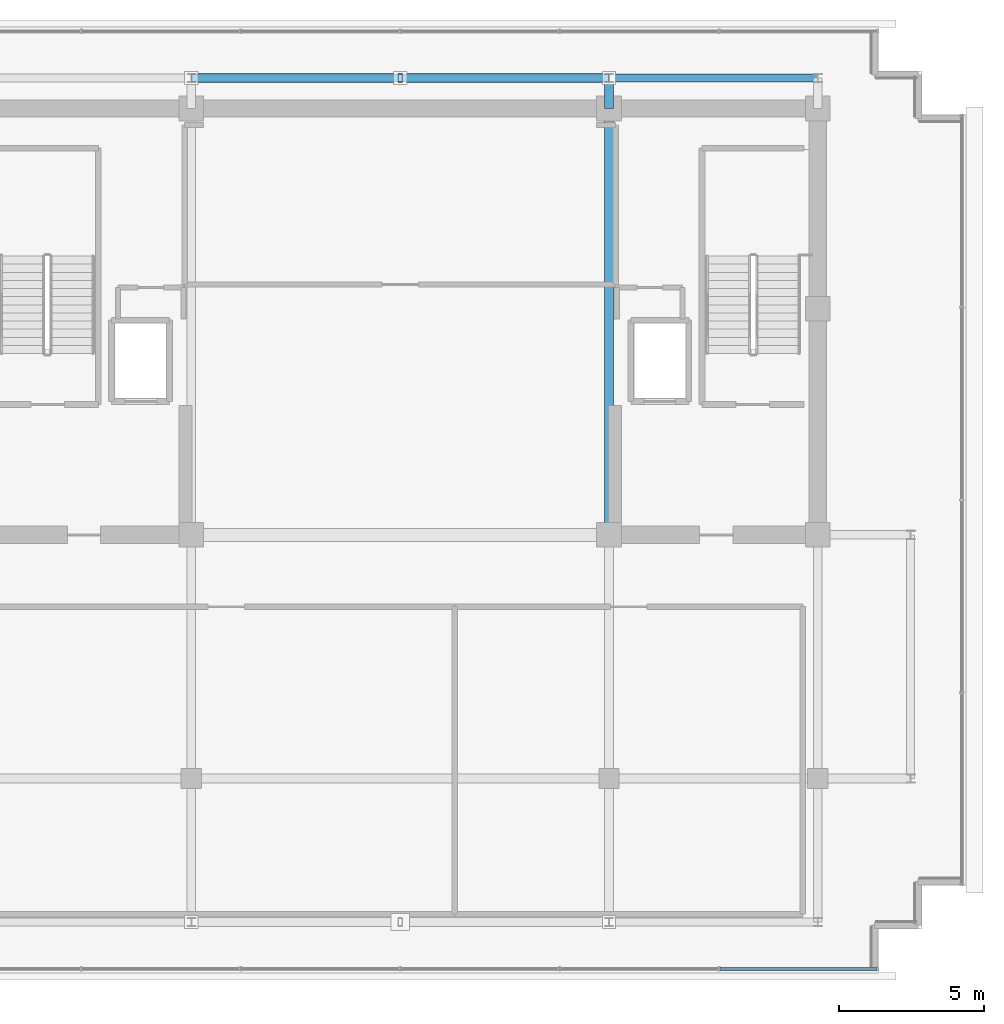
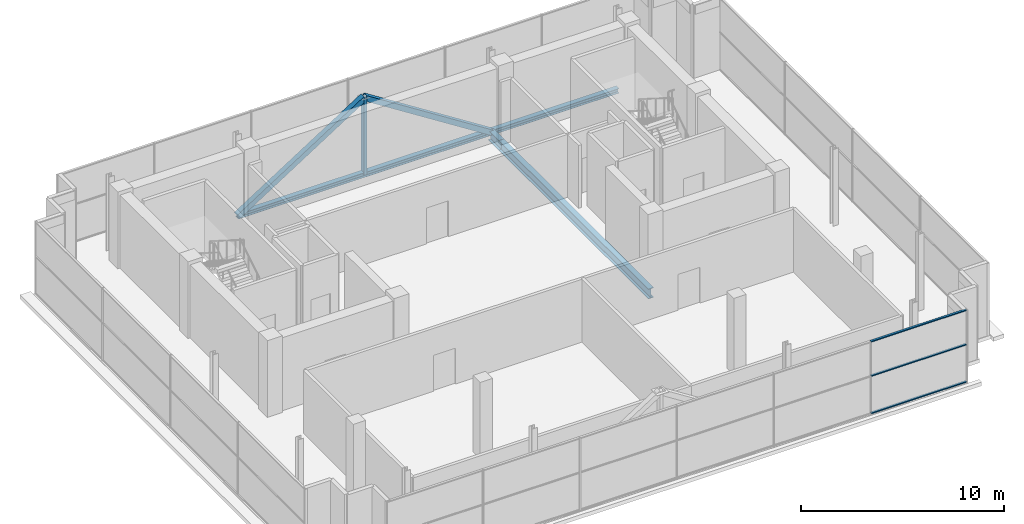
# One storey, part 14 of 26: 6 members, 4 beams, 1 element without a shape of its own.
"""IFC4 building model written with IfcOpenShell, lengths in metres."""

from ifc_helpers import new_model, si_unit, direction, frame, origin, origin_2d, place, context, subcontext, project, spatial, hollow_rectangle, i_section, extrude, source, transform, mapped, material, layer, layer_set, material_profile, profile_set, type_object, element, aggregate, save


model = new_model("IFC4")

# Units and contexts
model_context = context("Model", 3, precision=1e-05, world=origin(), true_north=direction((0.0, 1.0)))
body_context = subcontext(model_context, "Body", "Model", "MODEL_VIEW")
ifc_project = project(units=[si_unit("LENGTHUNIT", "METRE"), si_unit("AREAUNIT", "SQUARE_METRE"), si_unit("VOLUMEUNIT", "CUBIC_METRE"), si_unit("PLANEANGLEUNIT", "RADIAN"), si_unit("MASSUNIT", "GRAM", prefix="KILO")], contexts=[model_context])

# Site, building, storey
site_placement = place(None, origin())
site = spatial("IfcSite", under=ifc_project, at=site_placement, CompositionType="ELEMENT")
building_placement = place(site_placement, origin())
building = spatial("IfcBuilding", under=site, at=building_placement, Name="Zarnakvel Exchange Tower", CompositionType="ELEMENT")
storey_placement = place(building_placement, frame((0.0, 0.0, 280.800048828125)))
storey = spatial("IfcBuildingStorey", under=building, at=storey_placement, Name="Crown L79", CompositionType="ELEMENT", Elevation=280.800048828125)

# Beams
ifc_material_1 = material(Name="Steel S355", Category="steel")
ifc_material_profile_1 = material_profile(ifc_material_1, i_section(OverallWidth=0.300048828125, OverallDepth=0.60009765625, WebThickness=0.015380859375, FlangeThickness=0.030029296875, FilletRadius=0.027099609375, at=origin_2d()))
ifc_profile_set_1 = profile_set([ifc_material_profile_1], Name="Steel S355")
beam_type_1 = type_object("IfcBeamType", Name="G-04", PredefinedType="BEAM", material=ifc_profile_set_1)
beam_1_placement = place(storey_placement, frame((7.199951171875, -1.199951171875, -0.52001953125), z_axis=(0.0, 1.0, 0.0), x_axis=(-1.0, 0.0, 0.0)))
element("IfcBeam", 1, at=beam_1_placement, inside=storey, type_object=beam_type_1, Name="Crown L79 Tower N-S Frame Beam", PredefinedType="BEAM", context=body_context, shape_type="SweptSolid", body=[
    extrude(i_section(OverallWidth=0.300048828125, OverallDepth=0.60009765625, WebThickness=0.015380859375, FlangeThickness=0.030029296875, FilletRadius=0.027099609375, at=origin_2d()), origin(), (0.0, 0.0, 1.0), 14.699951171875),
])
beam_2_placement = place(storey_placement, frame((7.199951171875, 13.5, -0.52001953125), z_axis=(0.0, 1.0, 0.0), x_axis=(-1.0, 0.0, 0.0)))
element("IfcBeam", 2, at=beam_2_placement, inside=storey, type_object=beam_type_1, Name="Crown L79 Tower N-S Frame Beam", PredefinedType="BEAM", context=body_context, shape_type="SweptSolid", body=[
    extrude(i_section(OverallWidth=0.300048828125, OverallDepth=0.60009765625, WebThickness=0.015380859375, FlangeThickness=0.030029296875, FilletRadius=0.027099609375, at=origin_2d()), origin(), (0.0, 0.0, 1.0), 1.050048828125),
])
ifc_material_profile_2 = material_profile(ifc_material_1, i_section(OverallWidth=0.280029296875, OverallDepth=0.280029296875, WebThickness=0.010498046875, FlangeThickness=0.01806640625, FilletRadius=0.02392578125, at=origin_2d()))
ifc_profile_set_2 = profile_set([ifc_material_profile_2], Name="Steel S355")
beam_type_2 = type_object("IfcBeamType", Name="SP-04", PredefinedType="SPANDREL", material=ifc_profile_set_2)
beam_3_placement = place(storey_placement, frame((-7.199951171875, 14.550048828125, -0.360107421875), z_axis=(1.0, 0.0, 0.0), x_axis=(0.0, 1.0, 0.0)))
element("IfcBeam", 3, at=beam_3_placement, inside=storey, type_object=beam_type_2, Name="Crown L79 Tower E-W Frame Beam", PredefinedType="SPANDREL", context=body_context, shape_type="SweptSolid", body=[
    extrude(i_section(OverallWidth=0.280029296875, OverallDepth=0.280029296875, WebThickness=0.010498046875, FlangeThickness=0.01806640625, FilletRadius=0.02392578125, at=origin_2d()), origin(), (0.0, 0.0, 1.0), 14.39990234375),
])
beam_4_placement = place(storey_placement, frame((7.199951171875, 14.550048828125, -0.360107421875), z_axis=(1.0, 0.0, 0.0), x_axis=(0.0, 1.0, 0.0)))
element("IfcBeam", 4, at=beam_4_placement, inside=storey, type_object=beam_type_2, Name="Crown L79 Tower E-W Frame Beam", PredefinedType="SPANDREL", context=body_context, shape_type="SweptSolid", body=[
    extrude(i_section(OverallWidth=0.280029296875, OverallDepth=0.280029296875, WebThickness=0.010498046875, FlangeThickness=0.01806640625, FilletRadius=0.02392578125, at=origin_2d()), origin(), (0.0, 0.0, 1.0), 7.199951171875),
])

# Members
ifc_material_profile_3 = material_profile(ifc_material_1, hollow_rectangle(XDim=0.300048828125, YDim=0.300048828125, WallThickness=0.01611328125, at=origin_2d()))
ifc_profile_set_3 = profile_set([ifc_material_profile_3], Name="Steel S355")
member_type_1 = type_object("IfcMemberType", Name="CB-BR2", PredefinedType="BRACE", material=ifc_profile_set_3)
shared_shape_1 = source(origin(), body_context, "Body", "SweptSolid", [
    extrude(hollow_rectangle(XDim=0.300048828125, YDim=0.300048828125, WallThickness=0.01611328125, at=origin_2d()), origin(), (0.0, 0.0, 1.0), 8.5439453125),
])
for number, where, z_axis, x_axis, name in (
    (5, (-7.199951171875, 14.550048828125, -0.360107421875), (0.842689417531, 0.0, 0.53839998661), (0.0, 1.0, 0.0), "Crown L79 Crown Chevron Brace L (CB-BR2)"),
    (6, (7.199951171875, 14.550048828125, -0.360107421875), (-0.842689417531, 0.0, 0.53839998661), (0.0, -1.0, 0.0), "Crown L79 Crown Chevron Brace R (CB-BR2)"),
):
    element("IfcMember", number, at=place(storey_placement, frame(where, z_axis=z_axis, x_axis=x_axis)), inside=storey, type_object=member_type_1, Name=name, PredefinedType="BRACE", context=body_context, shape_type="MappedRepresentation", body=[
        mapped(shared_shape_1, transform((0.0, 0.0, 0.0), x_axis=(1.0, 0.0, 0.0), y_axis=(0.0, 1.0, 0.0), z_axis=(0.0, 0.0, 1.0), scale=1.0)),
    ])
ifc_material_profile_4 = material_profile(ifc_material_1, hollow_rectangle(XDim=0.14990234375, YDim=0.300048828125, WallThickness=0.012451171875, at=origin_2d()))
ifc_profile_set_4 = profile_set([ifc_material_profile_4], Name="Steel S355")
member_type_2 = type_object("IfcMemberType", Name="CB-ST2", PredefinedType="STRUT", material=ifc_profile_set_4)
shared_shape_2 = source(origin(), body_context, "Body", "SweptSolid", [
    extrude(hollow_rectangle(XDim=0.14990234375, YDim=0.300048828125, WallThickness=0.012451171875, at=origin_2d()), origin(), (0.0, 0.0, 1.0), 4.60009765625),
])
member_1_placement = place(storey_placement, frame((0.0, 14.550048828125, -0.360107421875), z_axis=(0.0, 0.0, 1.0), x_axis=(1.0, 0.0, 0.0)))
element("IfcMember", 7, at=member_1_placement, inside=storey, type_object=member_type_2, Name="Crown L79 Crown Frame Post (CB-ST2)", PredefinedType="STRUT", context=body_context, shape_type="MappedRepresentation", body=[
    mapped(shared_shape_2, transform((0.0, 0.0, 0.0), x_axis=(1.0, 0.0, 0.0), y_axis=(0.0, 1.0, 0.0), z_axis=(0.0, 0.0, 1.0), scale=1.0)),
])

# Curtain wall, members
ifc_material_2 = material(Name="Architectural Bronze Anodised Aluminium", Category="aluminium")
ifc_layer = layer(ifc_material_2, 0.14990234375)
ifc_layer_set = layer_set([ifc_layer], Name="Architectural Bronze Anodised Aluminium")
curtain_wall_type = type_object("IfcCurtainWallType", Name="CW-07", PredefinedType="NOTDEFINED", material=ifc_layer_set)
curtain_wall_placement = place(storey_placement, origin())
curtain_wall = element("IfcCurtainWall", 8, at=curtain_wall_placement, inside=storey, type_object=curtain_wall_type, Name="Crown L79 Curtain Wall CW-Crown L79-S (CW-07)", PredefinedType="NOTDEFINED")
ifc_material_profile_5 = material_profile(ifc_material_2, hollow_rectangle(XDim=0.1201171875, YDim=0.06005859375, WallThickness=0.00390625, at=origin_2d()))
ifc_profile_set_5 = profile_set([ifc_material_profile_5], Name="Architectural Bronze Anodised Aluminium")
member_type_3 = type_object("IfcMemberType", Name="CWT-07", PredefinedType="USERDEFINED", material=ifc_profile_set_5)
shared_shape_3 = source(origin(), body_context, "Body", "SweptSolid", [
    extrude(hollow_rectangle(XDim=0.1201171875, YDim=0.06005859375, WallThickness=0.00390625, at=origin_2d()), origin(), (0.0, 0.0, 1.0), 5.409912109375),
])
member_2_placement = place(storey_placement, frame((11.030029296875, -16.159912109375, 0.030029296875), z_axis=(1.0, 0.0, 0.0), x_axis=(0.0, 1.0, 0.0)))
member_2 = element("IfcMember", 9, at=member_2_placement, type_object=member_type_3, Name="CW-07 transom 6.1", ObjectType="TRANSOM", PredefinedType="USERDEFINED", context=body_context, shape_type="MappedRepresentation", body=[
    mapped(shared_shape_3, transform((0.0, 0.0, 0.0), x_axis=(1.0, 0.0, 0.0), y_axis=(0.0, 1.0, 0.0), z_axis=(0.0, 0.0, 1.0), scale=1.0)),
])
member_3_placement = place(storey_placement, frame((11.030029296875, -16.159912109375, 2.26708984375), z_axis=(1.0, 0.0, 0.0), x_axis=(0.0, 1.0, 0.0)))
member_3 = element("IfcMember", 10, at=member_3_placement, type_object=member_type_3, Name="CW-07 transom 6.2", ObjectType="TRANSOM", PredefinedType="USERDEFINED", context=body_context, shape_type="MappedRepresentation", body=[
    mapped(shared_shape_3, transform((0.0, 0.0, 0.0), x_axis=(1.0, 0.0, 0.0), y_axis=(0.0, 1.0, 0.0), z_axis=(0.0, 0.0, 1.0), scale=1.0)),
])
member_4_placement = place(storey_placement, frame((11.030029296875, -16.159912109375, 4.329833984375), z_axis=(1.0, 0.0, 0.0), x_axis=(0.0, 1.0, 0.0)))
member_4 = element("IfcMember", 11, at=member_4_placement, type_object=member_type_3, Name="CW-07 transom 6.3", ObjectType="TRANSOM", PredefinedType="USERDEFINED", context=body_context, shape_type="MappedRepresentation", body=[
    mapped(shared_shape_3, transform((0.0, 0.0, 0.0), x_axis=(1.0, 0.0, 0.0), y_axis=(0.0, 1.0, 0.0), z_axis=(0.0, 0.0, 1.0), scale=1.0)),
])
aggregate(curtain_wall, [member_2, member_3, member_4])

save(model, "model.ifc")
